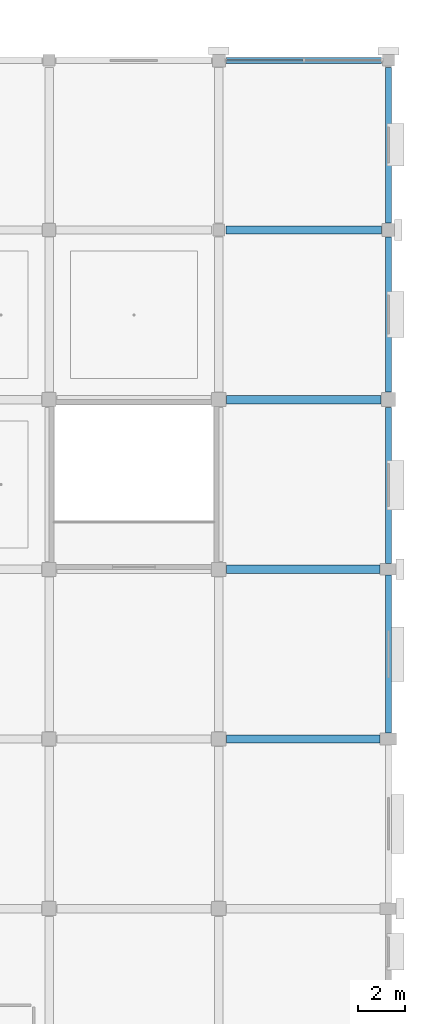
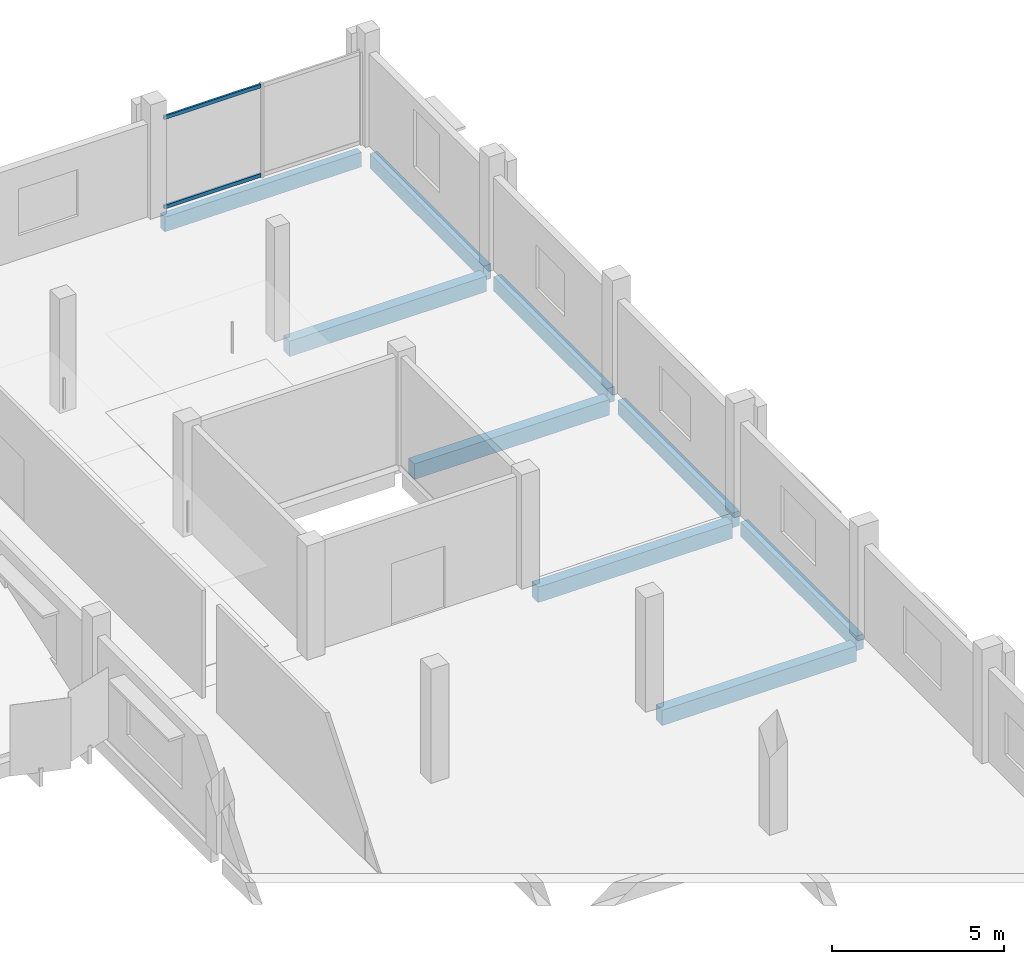
# One storey, part 27 of 59: 9 beams, 2 members, 1 element without a shape of its own.
"""IFC4 building model written with IfcOpenShell, lengths in metres."""

from ifc_helpers import new_model, si_unit, direction, frame, origin, origin_2d, place, context, subcontext, project, spatial, rectangle, hollow_rectangle, extrude, material, layer, layer_set, material_profile, profile_set, type_object, element, aggregate, save


model = new_model("IFC4")

# Units and contexts
model_context = context("Model", 3, precision=1e-05, world=origin(), true_north=direction((0.0, 1.0)))
body_context = subcontext(model_context, "Body", "Model", "MODEL_VIEW")
ifc_project = project(units=[si_unit("LENGTHUNIT", "METRE"), si_unit("AREAUNIT", "SQUARE_METRE"), si_unit("VOLUMEUNIT", "CUBIC_METRE"), si_unit("PLANEANGLEUNIT", "RADIAN"), si_unit("MASSUNIT", "GRAM", prefix="KILO")], contexts=[model_context])

# Site, building, storey
site_placement = place(None, origin())
site = spatial("IfcSite", under=ifc_project, at=site_placement, CompositionType="ELEMENT")
building_placement = place(site_placement, origin())
building = spatial("IfcBuilding", under=site, at=building_placement, Name="Kangsadwip Square Police Headquarters", CompositionType="ELEMENT")
storey_placement = place(building_placement, frame((0.0, 0.0, 21.60009765625)))
storey = spatial("IfcBuildingStorey", under=building, at=storey_placement, Name="L05", CompositionType="ELEMENT", Elevation=21.60009765625)

# Curtain wall, members
ifc_material_1 = material(Name="Thermally broken anodised aluminium AW-6063-T6", Category="aluminium")
ifc_layer = layer(ifc_material_1, 0.159912109375)
ifc_layer_set = layer_set([ifc_layer], Name="Thermally broken anodised aluminium AW-6063-T6")
curtain_wall_type = type_object("IfcCurtainWallType", Name="UnitisedCw6685x3300", PredefinedType="NOTDEFINED", material=ifc_layer_set)
curtain_wall_placement = place(storey_placement, origin())
curtain_wall = element("IfcCurtainWall", 1, at=curtain_wall_placement, inside=storey, type_object=curtain_wall_type, Name="Curtain Wall CW-L05-1587-1152", PredefinedType="NOTDEFINED")
ifc_material_2 = material(Name="Thermally broken anodised aluminium AW-6063-T6", Category="aluminium")
ifc_material_profile_1 = material_profile(ifc_material_2, hollow_rectangle(XDim=0.06494140625, YDim=0.1298828125, WallThickness=0.00390625, at=origin_2d()), Name="CWT 130X65X4")
ifc_profile_set_1 = profile_set([ifc_material_profile_1], Name="Thermally broken anodised aluminium AW-6063-T6")
member_type = type_object("IfcMemberType", Name="CwTransom140x60", PredefinedType="USERDEFINED", material=ifc_profile_set_1)
member_1_placement = place(storey_placement, frame((158.735107421875, 115.199951171875, 0.06494140625), z_axis=(1.0, 0.0, 0.0), x_axis=(0.0, 1.0, 0.0)))
member_1 = element("IfcMember", 2, at=member_1_placement, type_object=member_type, Name="CW-51 transom 1.1", ObjectType="TRANSOM", PredefinedType="USERDEFINED", context=body_context, shape_type="SweptSolid", body=[
    extrude(hollow_rectangle(XDim=0.06494140625, YDim=0.1298828125, WallThickness=0.00390625, at=origin_2d()), origin(), (0.0, 0.0, 1.0), 3.244873046875),
])
member_2_placement = place(storey_placement, frame((158.735107421875, 115.199951171875, 3.23486328125), z_axis=(1.0, 0.0, 0.0), x_axis=(0.0, 1.0, 0.0)))
member_2 = element("IfcMember", 3, at=member_2_placement, type_object=member_type, Name="CW-51 transom 1.2", ObjectType="TRANSOM", PredefinedType="USERDEFINED", context=body_context, shape_type="SweptSolid", body=[
    extrude(hollow_rectangle(XDim=0.06494140625, YDim=0.1298828125, WallThickness=0.00390625, at=origin_2d()), origin(), (0.0, 0.0, 1.0), 3.244873046875),
])
aggregate(curtain_wall, [member_1, member_2])

# Beams
ifc_material_3 = material(Name="Concrete M35 (35 MPa)", Category="concrete")
ifc_material_profile_2 = material_profile(ifc_material_3, rectangle(XDim=0.35009765625, YDim=0.550048828125, at=origin_2d()), Name="RC BM 550X350")
ifc_profile_set_2 = profile_set([ifc_material_profile_2], Name="Concrete M35 (35 MPa)")
beam_type_1 = type_object("IfcBeamType", Name="RcBeam550x350", PredefinedType="BEAM", material=ifc_profile_set_2)
for number, where, z_axis, x_axis, name in (
    (4, (158.72509765625, 86.39990234375, -0.4951171875), (1.0, 0.0, 0.0), (0.0, 1.0, 0.0), "Beam BM-L05-X-22-12"),
    (5, (158.72509765625, 93.60009765625, -0.4951171875), (1.0, 0.0, 0.0), (0.0, 1.0, 0.0), "Beam BM-L05-X-22-13"),
):
    element("IfcBeam", number, at=place(storey_placement, frame(where, z_axis=z_axis, x_axis=x_axis)), inside=storey, type_object=beam_type_1, Name=name, PredefinedType="BEAM", context=body_context, shape_type="SweptSolid", body=[
        extrude(rectangle(XDim=0.35009765625, YDim=0.550048828125, at=origin_2d()), origin(), (0.0, 0.0, 1.0), 6.52490234375),
    ])
beam_1_placement = place(storey_placement, frame((158.72509765625, 100.800048828125, -0.4951171875), z_axis=(1.0, 0.0, 0.0), x_axis=(0.0, 1.0, 0.0)))
element("IfcBeam", 6, at=beam_1_placement, inside=storey, type_object=beam_type_1, Name="Beam BM-L05-X-22-14", PredefinedType="BEAM", context=body_context, shape_type="SweptSolid", body=[
    extrude(rectangle(XDim=0.35009765625, YDim=0.550048828125, at=origin_2d()), origin(), (0.0, 0.0, 1.0), 6.5498046875),
])
beam_2_placement = place(storey_placement, frame((158.699951171875, 108.0, -0.4951171875), z_axis=(1.0, 0.0, 0.0), x_axis=(0.0, 1.0, 0.0)))
element("IfcBeam", 7, at=beam_2_placement, inside=storey, type_object=beam_type_1, Name="Beam BM-L05-X-22-15", PredefinedType="BEAM", context=body_context, shape_type="SweptSolid", body=[
    extrude(rectangle(XDim=0.35009765625, YDim=0.550048828125, at=origin_2d()), origin(), (0.0, 0.0, 1.0), 6.60009765625),
])
ifc_material_4 = material(Name="Concrete M35 (35 MPa)", Category="concrete")
ifc_material_profile_3 = material_profile(ifc_material_4, rectangle(XDim=0.25, YDim=0.52001953125, at=origin_2d()), Name="RC SPN 520X250")
ifc_profile_set_3 = profile_set([ifc_material_profile_3], Name="Concrete M35 (35 MPa)")
beam_type_2 = type_object("IfcBeamType", Name="RcSpandrel520x250", PredefinedType="SPANDREL", material=ifc_profile_set_3)
beam_3_placement = place(storey_placement, frame((158.699951171875, 115.199951171875, -0.47998046875), z_axis=(1.0, 0.0, 0.0), x_axis=(0.0, 1.0, 0.0)))
element("IfcBeam", 8, at=beam_3_placement, inside=storey, type_object=beam_type_2, Name="Beam BM-L05-X-22-16", PredefinedType="SPANDREL", context=body_context, shape_type="SweptSolid", body=[
    extrude(rectangle(XDim=0.25, YDim=0.52001953125, at=origin_2d()), origin(), (0.0, 0.0, 1.0), 6.60009765625),
])
beam_4_placement = place(storey_placement, frame((165.60009765625, 86.64990234375, -0.47998046875), z_axis=(0.0, 1.0, 0.0), x_axis=(-1.0, 0.0, 0.0)))
element("IfcBeam", 9, at=beam_4_placement, inside=storey, type_object=beam_type_2, Name="Beam BM-L05-Y-23-12", PredefinedType="SPANDREL", context=body_context, shape_type="SweptSolid", body=[
    extrude(rectangle(XDim=0.25, YDim=0.52001953125, at=origin_2d()), origin(), (0.0, 0.0, 1.0), 6.7001953125),
])
beam_5_placement = place(storey_placement, frame((165.60009765625, 93.85009765625, -0.47998046875), z_axis=(0.0, 1.0, 0.0), x_axis=(-1.0, 0.0, 0.0)))
element("IfcBeam", 10, at=beam_5_placement, inside=storey, type_object=beam_type_2, Name="Beam BM-L05-Y-23-13", PredefinedType="SPANDREL", context=body_context, shape_type="SweptSolid", body=[
    extrude(rectangle(XDim=0.25, YDim=0.52001953125, at=origin_2d()), origin(), (0.0, 0.0, 1.0), 6.625),
])
beam_6_placement = place(storey_placement, frame((165.60009765625, 101.125, -0.47998046875), z_axis=(0.0, 1.0, 0.0), x_axis=(-1.0, 0.0, 0.0)))
element("IfcBeam", 11, at=beam_6_placement, inside=storey, type_object=beam_type_2, Name="Beam BM-L05-Y-23-14", PredefinedType="SPANDREL", context=body_context, shape_type="SweptSolid", body=[
    extrude(rectangle(XDim=0.25, YDim=0.52001953125, at=origin_2d()), origin(), (0.0, 0.0, 1.0), 6.574951171875),
])
beam_7_placement = place(storey_placement, frame((165.60009765625, 108.300048828125, -0.47998046875), z_axis=(0.0, 1.0, 0.0), x_axis=(-1.0, 0.0, 0.0)))
element("IfcBeam", 12, at=beam_7_placement, inside=storey, type_object=beam_type_2, Name="Beam BM-L05-Y-23-15", PredefinedType="SPANDREL", context=body_context, shape_type="SweptSolid", body=[
    extrude(rectangle(XDim=0.25, YDim=0.52001953125, at=origin_2d()), origin(), (0.0, 0.0, 1.0), 6.599853515625),
])

save(model, "model.ifc")
